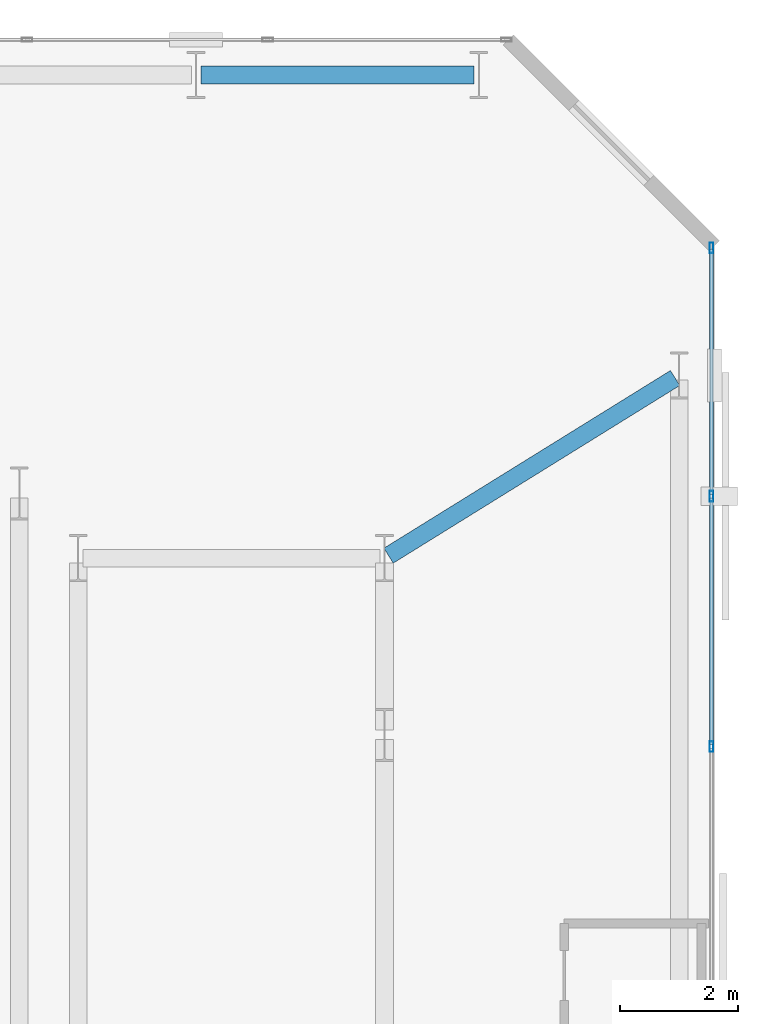
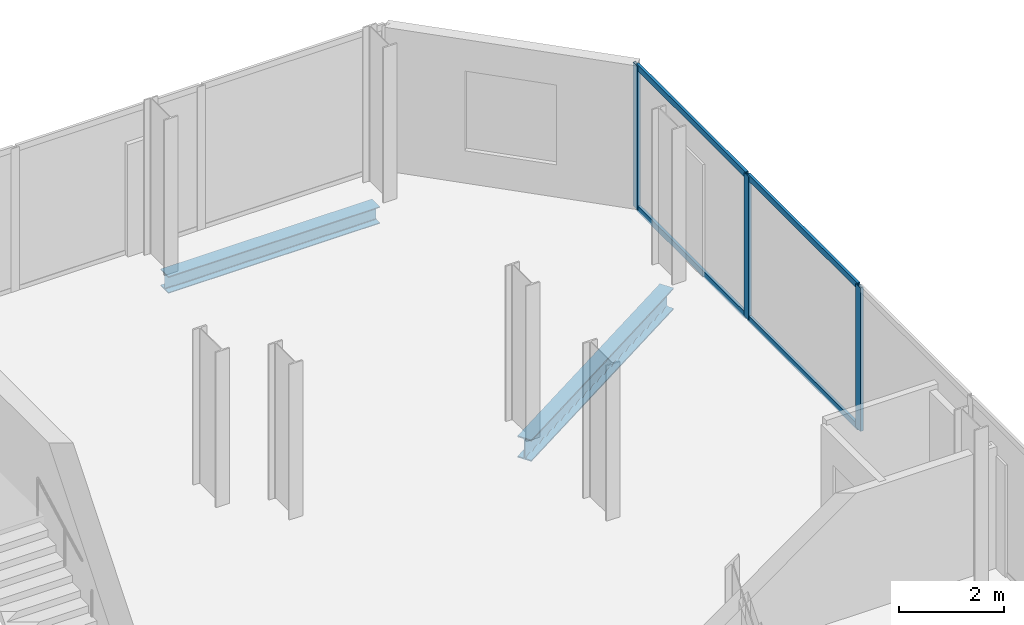
# One storey, part 25 of 33: 7 members, 2 beams, 1 element without a shape of its own.
"""IFC4 building model written with IfcOpenShell, lengths in metres."""

import ifcopenshell
import ifcopenshell.guid

model = None  # the IFC model being written
_history = None  # IfcOwnerHistory: only IFC2X3 demands one
_inside = {}  # id of a spatial element -> (the spatial element, [elements in it])
_under = {}  # id of a project, library or spatial element -> (it, [spatial elements below it])
_declared = {}  # id of a project -> (the project, [libraries it declares])
_typed = {}  # id of a type object -> (the type object, [elements of that type])
_made_of = {}  # id of a material, layer set ... -> (it, [elements and type objects made of it])


def new_model(schema):
    """Start an empty IFC model of exactly this schema.

    Asked for "IFC4X3", IfcOpenShell would pick the latest addendum, in which some entities
    have other attributes; the version numbers below select the first issue.
    IFC2X3 requires an IfcOwnerHistory on every rooted entity: one is made here for all.
    """
    global model, _history
    if schema == "IFC4X3":
        model = ifcopenshell.file(schema_version=(4, 3, 0, 0))
    else:
        model = ifcopenshell.file(schema=schema)
    _inside.clear()
    _under.clear()
    _declared.clear()
    _typed.clear()
    _made_of.clear()
    _history = None
    if model.schema == "IFC2X3":
        org = make("IfcOrganization", Name="unknown")
        user = make(
            "IfcPersonAndOrganization",
            ThePerson=make("IfcPerson", FamilyName="unknown"),
            TheOrganization=org,
        )
        app = make(
            "IfcApplication",
            ApplicationDeveloper=org,
            Version="unknown",
            ApplicationFullName="unknown",
            ApplicationIdentifier="unknown",
        )
        _history = make(
            "IfcOwnerHistory",
            OwningUser=user,
            OwningApplication=app,
            ChangeAction="ADDED",
            CreationDate=0,
        )
    return model


def make(cls, **values):
    """One entity of the class cls with the attributes given. An attribute that is None is left unset."""
    return model.create_entity(
        cls, **{name: value for name, value in values.items() if value is not None}
    )


def rooted(cls, **values):
    """An entity with a GlobalId (a new one), such as an element, a storey or a relation."""
    return make(cls, GlobalId=ifcopenshell.guid.new(), OwnerHistory=_history, **values)


def si_unit(unit_type, name, prefix=None):
    """IfcSIUnit, for example si_unit("LENGTHUNIT", "METRE", prefix="MILLI")."""
    return make("IfcSIUnit", UnitType=unit_type, Prefix=prefix, Name=name)


def assignment(units):
    """IfcUnitAssignment: the units of a project."""
    return None if units is None else make("IfcUnitAssignment", Units=units)


def point(xyz):
    """IfcCartesianPoint."""
    return None if xyz is None else make("IfcCartesianPoint", Coordinates=xyz)


def direction(xyz):
    """IfcDirection."""
    return None if xyz is None else make("IfcDirection", DirectionRatios=xyz)


def frame(location, z_axis=None, x_axis=None):
    """IfcAxis2Placement3D, a coordinate frame: its origin and axes. An axis left out is left unset."""
    return make(
        "IfcAxis2Placement3D",
        Location=point(location),
        Axis=direction(z_axis),
        RefDirection=direction(x_axis),
    )


def frame_2d(location, x_axis=None):
    """IfcAxis2Placement2D, a coordinate frame in the plane: its origin and x axis."""
    return make(
        "IfcAxis2Placement2D", Location=point(location), RefDirection=direction(x_axis)
    )


def origin():
    """The frame at (0, 0, 0) with its axes left unset."""
    return frame((0.0, 0.0, 0.0))


def origin_2d():
    """The frame at (0, 0) in the plane with its x axis left unset."""
    return frame_2d((0.0, 0.0))


def place(relative_to, where):
    """IfcLocalPlacement: puts the frame where relative to a parent placement (None: the world)."""
    return make(
        "IfcLocalPlacement", PlacementRelTo=relative_to, RelativePlacement=where
    )


def context(
    kind, dimensions, precision=None, world=None, true_north=None, identifier=None
):
    """IfcGeometricRepresentationContext, for example the 3D "Model" context."""
    return make(
        "IfcGeometricRepresentationContext",
        ContextIdentifier=identifier,
        ContextType=kind,
        CoordinateSpaceDimension=dimensions,
        Precision=precision,
        WorldCoordinateSystem=world,
        TrueNorth=true_north,
    )


def subcontext(parent, identifier, kind, view, scale=None):
    """IfcGeometricRepresentationSubContext, for example "Body" below "Model"."""
    return make(
        "IfcGeometricRepresentationSubContext",
        ContextIdentifier=identifier,
        ContextType=kind,
        ParentContext=parent,
        TargetScale=scale,
        TargetView=view,
    )


def project(units=None, contexts=None):
    """IfcProject with its units and contexts."""
    return rooted(
        "IfcProject",
        Name="project",
        RepresentationContexts=contexts,
        UnitsInContext=assignment(units),
    )


def spatial(cls, under=None, at=None, **own):
    """A site, building, storey or space (cls), placed at a placement, below another one or the project."""
    s = rooted(cls, ObjectPlacement=at, **own)
    if under is not None:
        _under.setdefault(under.id(), (under, []))[1].append(s)
    return s


def profile(cls, at=None, kind="AREA", **sizes):
    """A parametric profile (cls). Its sizes go by their IFC names, for example OverallWidth=200.0."""
    return make(cls, ProfileType=kind, Position=at, **sizes)


def hollow_rectangle(**sizes):
    """IfcRectangleHollowProfileDef."""
    return profile("IfcRectangleHollowProfileDef", **sizes)


def i_section(**sizes):
    """IfcIShapeProfileDef."""
    return profile("IfcIShapeProfileDef", **sizes)


def extrude(swept, where, along, depth):
    """IfcExtrudedAreaSolid: the profile swept, set in the frame where, extruded along a direction by depth."""
    return make(
        "IfcExtrudedAreaSolid",
        SweptArea=swept,
        Position=where,
        ExtrudedDirection=direction(along),
        Depth=depth,
    )


def shape(context_of_items, identifier, shape_type, items):
    """IfcShapeRepresentation: the items that make up one representation, for example the "Body"."""
    return make(
        "IfcShapeRepresentation",
        ContextOfItems=context_of_items,
        RepresentationIdentifier=identifier,
        RepresentationType=shape_type,
        Items=items,
    )


def material(Name=None, Category=None):
    """IfcMaterial."""
    return make("IfcMaterial", Name=Name, Category=Category)


def layer(
    of_material, thickness, ventilated=None, Name=None, Category=None, Priority=None
):
    """IfcMaterialLayer: one layer of a wall or slab, of a material (None: an air gap)."""
    return make(
        "IfcMaterialLayer",
        Material=of_material,
        LayerThickness=thickness,
        IsVentilated=ventilated,
        Name=Name,
        Category=Category,
        Priority=Priority,
    )


def layer_set(layers, Name=None):
    """IfcMaterialLayerSet."""
    return make("IfcMaterialLayerSet", MaterialLayers=layers, LayerSetName=Name)


def material_profile(
    of_material, cross_section, Name=None, Category=None, Priority=None
):
    """IfcMaterialProfile: a cross section and its material."""
    return make(
        "IfcMaterialProfile",
        Name=Name,
        Material=of_material,
        Profile=cross_section,
        Priority=Priority,
        Category=Category,
    )


def profile_set(profiles, Name=None, composite=None):
    """IfcMaterialProfileSet."""
    return make(
        "IfcMaterialProfileSet",
        Name=Name,
        MaterialProfiles=profiles,
        CompositeProfile=composite,
    )


def made_of(thing, what):
    """Note that an element or type object is made of a material, layer set ...; save() writes the relation."""
    if what is not None:
        _made_of.setdefault(what.id(), (what, []))[1].append(thing)
    return thing


def type_object(cls, material=None, **own):
    """A type object (cls), such as IfcWallType, which elements share."""
    return made_of(rooted(cls, **own), material)


def element(
    cls,
    number,
    at=None,
    inside=None,
    cuts=None,
    type_object=None,
    material=None,
    context=None,
    identifier="Body",
    shape_type=None,
    held_by="IfcProductDefinitionShape",
    body=None,
    shapes=None,
    **own,
):
    """One element of the class cls, such as IfcWall. Its Tag is "e" and its number.

    at: its placement. inside: the storey or other place that contains it. cuts: it is an
    opening in that element (IfcRelVoidsElement). A single representation is given by context,
    identifier, shape_type and body (its items); several are given by shapes. held_by: the class
    of the entity that holds the representations. save() writes the other relations.
    """
    e = rooted(cls, Tag="e%d" % number, ObjectPlacement=at, **own)
    if body is not None:
        shapes = [shape(context, identifier, shape_type, body)]
    if shapes is not None:
        e.Representation = make(held_by, Representations=shapes)
    if inside is not None:
        _inside.setdefault(inside.id(), (inside, []))[1].append(e)
    if cuts is not None:
        rooted(
            "IfcRelVoidsElement", RelatingBuildingElement=cuts, RelatedOpeningElement=e
        )
    if type_object is not None:
        _typed.setdefault(type_object.id(), (type_object, []))[1].append(e)
    return made_of(e, material)


def aggregate(whole, parts):
    """IfcRelAggregates: a whole, such as a stair, and the parts it consists of."""
    return rooted("IfcRelAggregates", RelatingObject=whole, RelatedObjects=parts)


def save(model, path):
    """Write the relations noted so far, then the file.

    IfcRelAggregates (storeys below a building ...), IfcRelContainedInSpatialStructure (elements
    in a storey), IfcRelDefinesByType, IfcRelAssociatesMaterial and IfcRelDeclares: one each for
    every whole, place, type object, material and project.
    """
    for whole, parts in _under.values():
        aggregate(whole, parts)
    for where, things in _inside.values():
        rooted(
            "IfcRelContainedInSpatialStructure",
            RelatedElements=things,
            RelatingStructure=where,
        )
    for kind, things in _typed.values():
        rooted("IfcRelDefinesByType", RelatedObjects=things, RelatingType=kind)
    for what, things in _made_of.values():
        rooted("IfcRelAssociatesMaterial", RelatedObjects=things, RelatingMaterial=what)
    for by, libraries in _declared.values():
        rooted("IfcRelDeclares", RelatingContext=by, RelatedDefinitions=libraries)
    model.write(path)


model = new_model("IFC4")

# Units and contexts
model_context = context("Model", 3, precision=1e-05, world=origin(), true_north=direction((0.0, 1.0)))
body_context = subcontext(model_context, "Body", "Model", "MODEL_VIEW")
ifc_project = project(units=[si_unit("LENGTHUNIT", "METRE"), si_unit("AREAUNIT", "SQUARE_METRE"), si_unit("VOLUMEUNIT", "CUBIC_METRE"), si_unit("PLANEANGLEUNIT", "RADIAN"), si_unit("MASSUNIT", "GRAM", prefix="KILO")], contexts=[model_context])

# Site, building, storey
site_placement = place(None, origin())
site = spatial("IfcSite", under=ifc_project, at=site_placement, CompositionType="ELEMENT")
building_placement = place(site_placement, origin())
building = spatial("IfcBuilding", under=site, at=building_placement, Name="Catumbela Crestline Tower", CompositionType="ELEMENT")
storey_placement = place(building_placement, frame((0.0, 0.0, 43.8)))
storey = spatial("IfcBuildingStorey", under=building, at=storey_placement, Name="L10", CompositionType="ELEMENT", Elevation=43.8)

# Beam
ifc_material_1 = material(Name="Structural steel S355J2", Category="steel")
ifc_material_profile_1 = material_profile(ifc_material_1, i_section(OverallWidth=0.3, OverallDepth=0.5, WebThickness=0.0145, FlangeThickness=0.028, FilletRadius=0.027, at=origin_2d()), Name="HEB 500")
ifc_profile_set_1 = profile_set([ifc_material_profile_1], Name="Structural steel S355J2")
beam_type_1 = type_object("IfcBeamType", Name="BG-HEB500", PredefinedType="BEAM", material=ifc_profile_set_1)
beam_1_placement = place(storey_placement, frame((50.468, 39.2422, -0.51), z_axis=(0.849908952007, 0.526929571479, 0.0), x_axis=(-0.526929571479, 0.849908952007, 0.0)))
element("IfcBeam", 1, at=beam_1_placement, inside=storey, type_object=beam_type_1, Name="L10 Beam BM-L10-N18", PredefinedType="BEAM", context=body_context, shape_type="SweptSolid", body=[
    extrude(i_section(OverallWidth=0.3, OverallDepth=0.5, WebThickness=0.0145, FlangeThickness=0.028, FilletRadius=0.027, at=origin_2d()), origin(), (0.0, 0.0, 1.0), 5.723),
])

# Curtain wall, members
ifc_material_2 = material(Name="Aluminium alloy AW-6060-T66", Category="aluminium")
ifc_layer = layer(ifc_material_2, 0.18, Name="Aluminium alloy AW-6060-T66")
ifc_layer_set = layer_set([ifc_layer], Name="Aluminium alloy AW-6060-T66")
curtain_wall_type = type_object("IfcCurtainWallType", Name="CWU-Z1", PredefinedType="USERDEFINED", material=ifc_layer_set)
curtain_wall_placement = place(storey_placement, origin())
curtain_wall = element("IfcCurtainWall", 2, at=curtain_wall_placement, inside=storey, type_object=curtain_wall_type, Name="L10 Unitised Curtain Wall CW-L10-E5S1", ObjectType="UNITISED", PredefinedType="USERDEFINED")
ifc_material_profile_2 = material_profile(ifc_material_2, hollow_rectangle(XDim=0.065, YDim=0.18, WallThickness=0.004, at=origin_2d()), Name="ALU 180x65x4")
ifc_profile_set_2 = profile_set([ifc_material_profile_2], Name="Aluminium alloy AW-6060-T66")
member_type_1 = type_object("IfcMemberType", Name="MUL-180X65", PredefinedType="MULLION", material=ifc_profile_set_2)
member_1_placement = place(storey_placement, frame((55.95, 36.0, 0.0), z_axis=(0.0, 0.0, 1.0), x_axis=(-1.0, 0.0, 0.0)))
member_1 = element("IfcMember", 3, at=member_1_placement, type_object=member_type_1, Name="CWU-Z1 mullion 3", PredefinedType="MULLION", context=body_context, shape_type="SweptSolid", body=[
    extrude(hollow_rectangle(XDim=0.065, YDim=0.18, WallThickness=0.004, at=origin_2d()), origin(), (0.0, 0.0, 1.0), 3.33),
])
member_2_placement = place(storey_placement, frame((55.95, 40.25, 0.0), z_axis=(0.0, 0.0, 1.0), x_axis=(-1.0, 0.0, 0.0)))
member_2 = element("IfcMember", 4, at=member_2_placement, type_object=member_type_1, Name="CWU-Z1 mullion 4", PredefinedType="MULLION", context=body_context, shape_type="SweptSolid", body=[
    extrude(hollow_rectangle(XDim=0.065, YDim=0.18, WallThickness=0.004, at=origin_2d()), origin(), (0.0, 0.0, 1.0), 3.33),
])
member_3_placement = place(storey_placement, frame((55.95, 44.4675, 0.0), z_axis=(0.0, 0.0, 1.0), x_axis=(-1.0, 0.0, 0.0)))
member_3 = element("IfcMember", 5, at=member_3_placement, type_object=member_type_1, Name="CWU-Z1 mullion 5", PredefinedType="MULLION", context=body_context, shape_type="SweptSolid", body=[
    extrude(hollow_rectangle(XDim=0.065, YDim=0.18, WallThickness=0.004, at=origin_2d()), origin(), (0.0, 0.0, 1.0), 3.33),
])

# Beam
ifc_material_profile_3 = material_profile(ifc_material_1, i_section(OverallWidth=0.3, OverallDepth=0.39, WebThickness=0.011, FlangeThickness=0.019, FilletRadius=0.027, at=origin_2d()), Name="HEA 400")
ifc_profile_set_3 = profile_set([ifc_material_profile_3], Name="Structural steel S355J2")
beam_type_2 = type_object("IfcBeamType", Name="BS-HEA400", PredefinedType="SPANDREL", material=ifc_profile_set_3)
beam_2_placement = place(storey_placement, frame((47.28, 47.4, -0.455), z_axis=(1.0, 0.0, 0.0), x_axis=(0.0, 1.0, 0.0)))
element("IfcBeam", 6, at=beam_2_placement, inside=storey, type_object=beam_type_2, Name="L10 Spandrel SP-L10-NF24", PredefinedType="SPANDREL", context=body_context, shape_type="SweptSolid", body=[
    extrude(i_section(OverallWidth=0.3, OverallDepth=0.39, WebThickness=0.011, FlangeThickness=0.019, FilletRadius=0.027, at=origin_2d()), origin(), (0.0, 0.0, 1.0), 4.64),
])

# Member
ifc_material_profile_4 = material_profile(ifc_material_2, hollow_rectangle(XDim=0.06, YDim=0.14, WallThickness=0.004, at=origin_2d()), Name="ALU 140x60x4")
ifc_profile_set_4 = profile_set([ifc_material_profile_4], Name="Aluminium alloy AW-6060-T66")
member_type_2 = type_object("IfcMemberType", Name="TRN-140X60", PredefinedType="USERDEFINED", material=ifc_profile_set_4)
member_4_placement = place(storey_placement, frame((55.95, 36.0325, 0.03), z_axis=(0.0, 1.0, 0.0), x_axis=(-1.0, 0.0, 0.0)))
member_4 = element("IfcMember", 7, at=member_4_placement, type_object=member_type_2, Name="CWU-Z1 transom 3.1", ObjectType="TRANSOM", PredefinedType="USERDEFINED", context=body_context, shape_type="SweptSolid", body=[
    extrude(hollow_rectangle(XDim=0.06, YDim=0.14, WallThickness=0.004, at=origin_2d()), origin(), (0.0, 0.0, 1.0), 4.185),
])

member_5_placement = place(storey_placement, frame((55.95, 36.0325, 3.3), z_axis=(0.0, 1.0, 0.0), x_axis=(-1.0, 0.0, 0.0)))
member_5 = element("IfcMember", 8, at=member_5_placement, type_object=member_type_2, Name="CWU-Z1 transom 3.2", ObjectType="TRANSOM", PredefinedType="USERDEFINED", context=body_context, shape_type="SweptSolid", body=[
    extrude(hollow_rectangle(XDim=0.06, YDim=0.14, WallThickness=0.004, at=origin_2d()), origin(), (0.0, 0.0, 1.0), 4.185),
])

member_6_placement = place(storey_placement, frame((55.95, 40.2825, 0.03), z_axis=(0.0, 1.0, 0.0), x_axis=(-1.0, 0.0, 0.0)))
member_6 = element("IfcMember", 9, at=member_6_placement, type_object=member_type_2, Name="CWU-Z1 transom 4.1", ObjectType="TRANSOM", PredefinedType="USERDEFINED", context=body_context, shape_type="SweptSolid", body=[
    extrude(hollow_rectangle(XDim=0.06, YDim=0.14, WallThickness=0.004, at=origin_2d()), origin(), (0.0, 0.0, 1.0), 4.1525),
])

member_7_placement = place(storey_placement, frame((55.95, 40.2825, 3.3), z_axis=(0.0, 1.0, 0.0), x_axis=(-1.0, 0.0, 0.0)))
member_7 = element("IfcMember", 10, at=member_7_placement, type_object=member_type_2, Name="CWU-Z1 transom 4.2", ObjectType="TRANSOM", PredefinedType="USERDEFINED", context=body_context, shape_type="SweptSolid", body=[
    extrude(hollow_rectangle(XDim=0.06, YDim=0.14, WallThickness=0.004, at=origin_2d()), origin(), (0.0, 0.0, 1.0), 4.1525),
])

aggregate(curtain_wall, [member_1, member_2, member_3, member_4, member_5, member_6, member_7])

save(model, "model.ifc")
